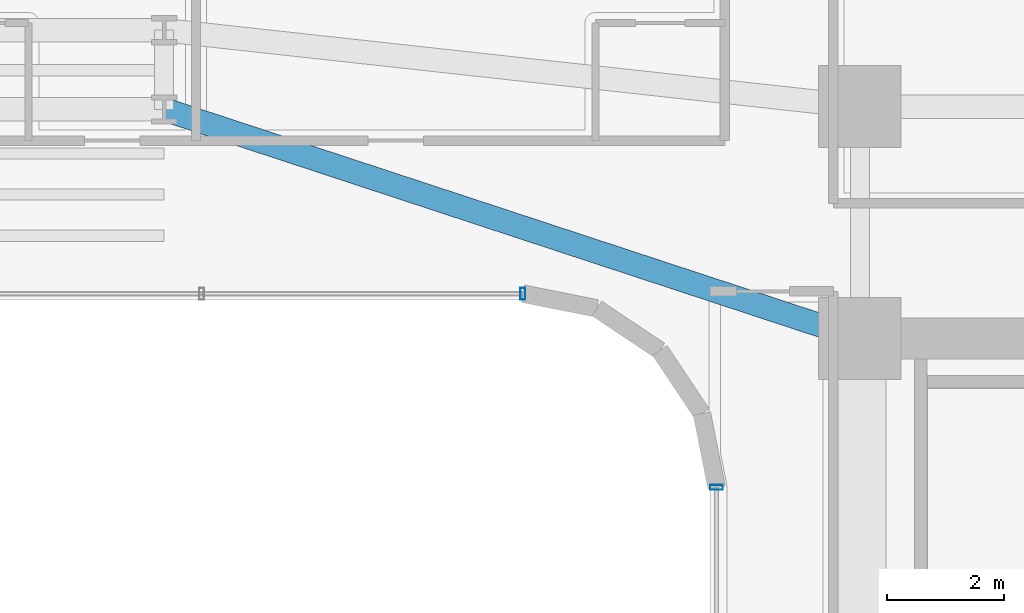
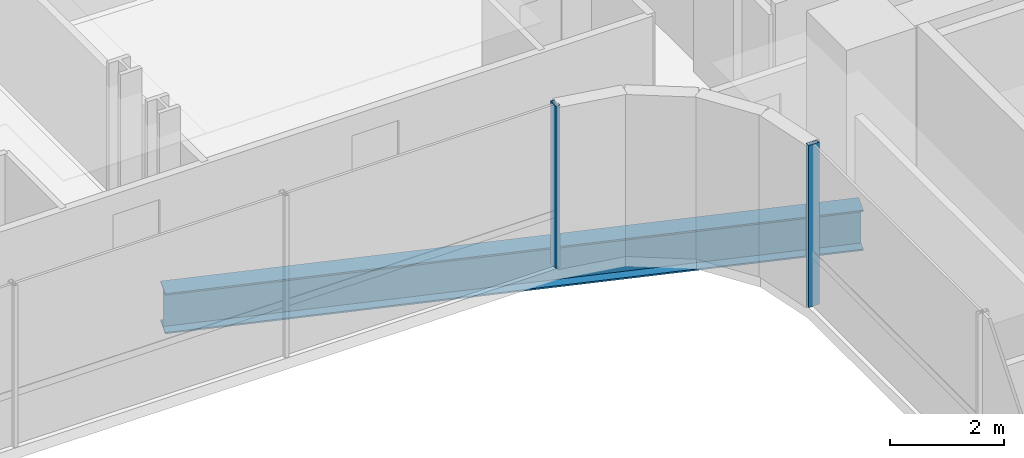
# One storey, part 16 of 40: 2 members, 1 beam, 2 elements without a shape of their own.
"""IFC4 building model written with IfcOpenShell, lengths in metres."""

from ifc_helpers import new_model, si_unit, direction, frame, origin, origin_2d, place, context, subcontext, project, spatial, hollow_rectangle, i_section, extrude, source, transform, mapped, material, material_profile, profile_set, type_object, element, aggregate, save


model = new_model("IFC4")

# Units and contexts
model_context = context("Model", 3, precision=1e-05, world=origin(), true_north=direction((0.0, 1.0)))
body_context = subcontext(model_context, "Body", "Model", "MODEL_VIEW")
ifc_project = project(units=[si_unit("LENGTHUNIT", "METRE"), si_unit("AREAUNIT", "SQUARE_METRE"), si_unit("VOLUMEUNIT", "CUBIC_METRE"), si_unit("PLANEANGLEUNIT", "RADIAN"), si_unit("MASSUNIT", "GRAM", prefix="KILO")], contexts=[model_context])

# Site, building, storey
site_placement = place(None, origin())
site = spatial("IfcSite", under=ifc_project, at=site_placement, CompositionType="ELEMENT")
building_placement = place(site_placement, origin())
building = spatial("IfcBuilding", under=site, at=building_placement, Name="Valdorenza Pilgrim Sanctuary Tower", CompositionType="ELEMENT")
storey_placement = place(building_placement, frame((0.0, 0.0, 92.60009765625)))
storey = spatial("IfcBuildingStorey", under=building, at=storey_placement, Name="L23", CompositionType="ELEMENT", Elevation=92.60009765625)

# Beam
ifc_material_1 = material(Name="Steel ASTM A992 Grade 50", Category="steel")
ifc_material_profile_1 = material_profile(ifc_material_1, i_section(OverallWidth=0.39990234375, OverallDepth=0.862060546875, WebThickness=0.019775390625, FlangeThickness=0.032470703125, at=origin_2d()), Name="W33X221")
ifc_profile_set_1 = profile_set([ifc_material_profile_1], Name="Steel ASTM A992 Grade 50")
beam_type = type_object("IfcBeamType", Name="STR-BM-GRD-W33", PredefinedType="BEAM", material=ifc_profile_set_1)
shared_shape_1 = source(origin(), body_context, "Body", "SweptSolid", [
    extrude(i_section(OverallWidth=0.39990234375, OverallDepth=0.862060546875, WebThickness=0.019775390625, FlangeThickness=0.032470703125, at=origin_2d()), origin(), (0.0, 0.0, 1.0), 12.475341796875),
])
beam_placement = place(storey_placement, frame((4.0, 13.449951171875, -0.671142578125), z_axis=(0.949881908141, -0.312608957943, 0.0), x_axis=(0.312608957943, 0.949881908141, 0.0)))
element("IfcBeam", 1, at=beam_placement, inside=storey, type_object=beam_type, Name="L23 Floor Girder KNK-G3", PredefinedType="BEAM", context=body_context, shape_type="MappedRepresentation", body=[
    mapped(shared_shape_1, transform((0.0, 0.0, 0.0), x_axis=(1.0, 0.0, 0.0), y_axis=(0.0, 1.0, 0.0), z_axis=(0.0, 0.0, 1.0), scale=1.0)),
])

# Curtain wall, member
ifc_material_2 = material(Name="Curtain-wall IGU glazing", Category="glass")
curtain_wall_type_1 = type_object("IfcCurtainWallType", Name="CW-SYS-02", PredefinedType="NOTDEFINED", material=ifc_material_2)
curtain_wall_1_placement = place(storey_placement, origin())
curtain_wall_1 = element("IfcCurtainWall", 2, at=curtain_wall_1_placement, inside=storey, type_object=curtain_wall_type_1, Name="L23 Curtain Wall CW-L23-1-36", PredefinedType="NOTDEFINED")
ifc_material_3 = material(Name="Anodised aluminium AW-6060", Category="aluminium")
ifc_material_profile_2 = material_profile(ifc_material_3, hollow_rectangle(XDim=0.0849609375, YDim=0.199951171875, WallThickness=0.0048828125, at=origin_2d()), Name="ALU-M 200x85x5")
ifc_profile_set_2 = profile_set([ifc_material_profile_2], Name="Anodised aluminium AW-6060")
member_type_1 = type_object("IfcMemberType", Name="CW-MUL-02", PredefinedType="MULLION", material=ifc_profile_set_2)
shared_shape_2 = source(origin(), body_context, "Body", "SweptSolid", [
    extrude(hollow_rectangle(XDim=0.0849609375, YDim=0.199951171875, WallThickness=0.0048828125, at=origin_2d()), origin(), (0.0, 0.0, 1.0), 3.4599609375),
])
member_1_placement = place(storey_placement, frame((10.11083984375, 10.31005859375, 0.0), z_axis=(0.0, 0.0, 1.0), x_axis=(-1.0, 0.0, 0.0)))
member_1 = element("IfcMember", 3, at=member_1_placement, type_object=member_type_1, Name="CW-L23-1-36 Mullion 1", PredefinedType="MULLION", context=body_context, shape_type="MappedRepresentation", body=[
    mapped(shared_shape_2, transform((0.0, 0.0, 0.0), x_axis=(1.0, 0.0, 0.0), y_axis=(0.0, 1.0, 0.0), z_axis=(0.0, 0.0, 1.0), scale=1.0)),
])
aggregate(curtain_wall_1, [member_1])

curtain_wall_type_2 = type_object("IfcCurtainWallType", Name="CW-SYS-03", PredefinedType="NOTDEFINED", material=ifc_material_2)
curtain_wall_2_placement = place(storey_placement, origin())
curtain_wall_2 = element("IfcCurtainWall", 4, at=curtain_wall_2_placement, inside=storey, type_object=curtain_wall_type_2, Name="L23 Curtain Wall CW-L23-1-31", PredefinedType="NOTDEFINED")
ifc_material_profile_3 = material_profile(ifc_material_3, hollow_rectangle(XDim=0.0849609375, YDim=0.219970703125, WallThickness=0.0048828125, at=origin_2d()), Name="ALU-M 220x85x5")
ifc_profile_set_3 = profile_set([ifc_material_profile_3], Name="Anodised aluminium AW-6060")
member_type_2 = type_object("IfcMemberType", Name="CW-MUL-03", PredefinedType="MULLION", material=ifc_profile_set_3)
shared_shape_3 = source(origin(), body_context, "Body", "SweptSolid", [
    extrude(hollow_rectangle(XDim=0.0849609375, YDim=0.219970703125, WallThickness=0.0048828125, at=origin_2d()), origin(), (0.0, 0.0, 1.0), 3.4599609375),
])
member_2_placement = place(storey_placement, frame((13.409912109375, 7.0107421875, 0.0), z_axis=(0.0, 0.0, 1.0), x_axis=(0.0, 1.0, 0.0)))
member_2 = element("IfcMember", 5, at=member_2_placement, type_object=member_type_2, Name="CW-L23-1-31 Mullion 4", PredefinedType="MULLION", context=body_context, shape_type="MappedRepresentation", body=[
    mapped(shared_shape_3, transform((0.0, 0.0, 0.0), x_axis=(1.0, 0.0, 0.0), y_axis=(0.0, 1.0, 0.0), z_axis=(0.0, 0.0, 1.0), scale=1.0)),
])
aggregate(curtain_wall_2, [member_2])

save(model, "model.ifc")
